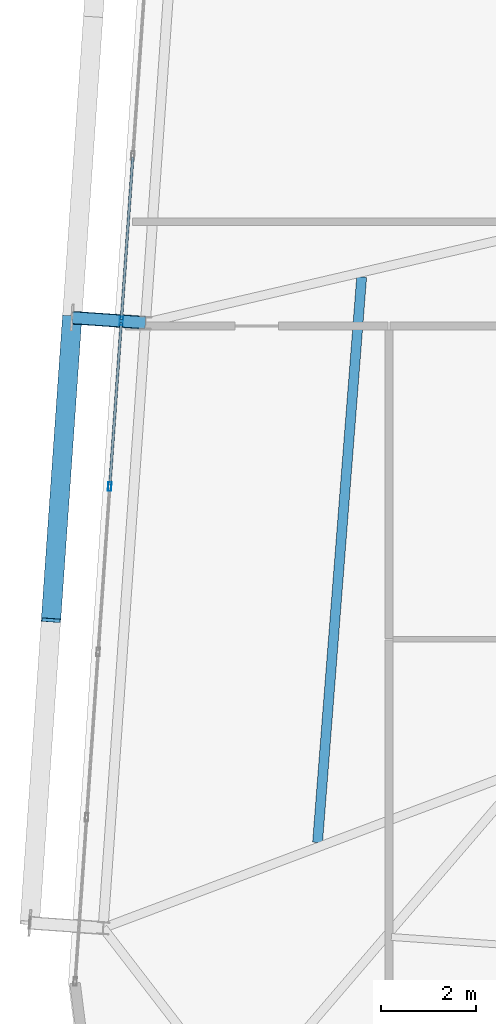
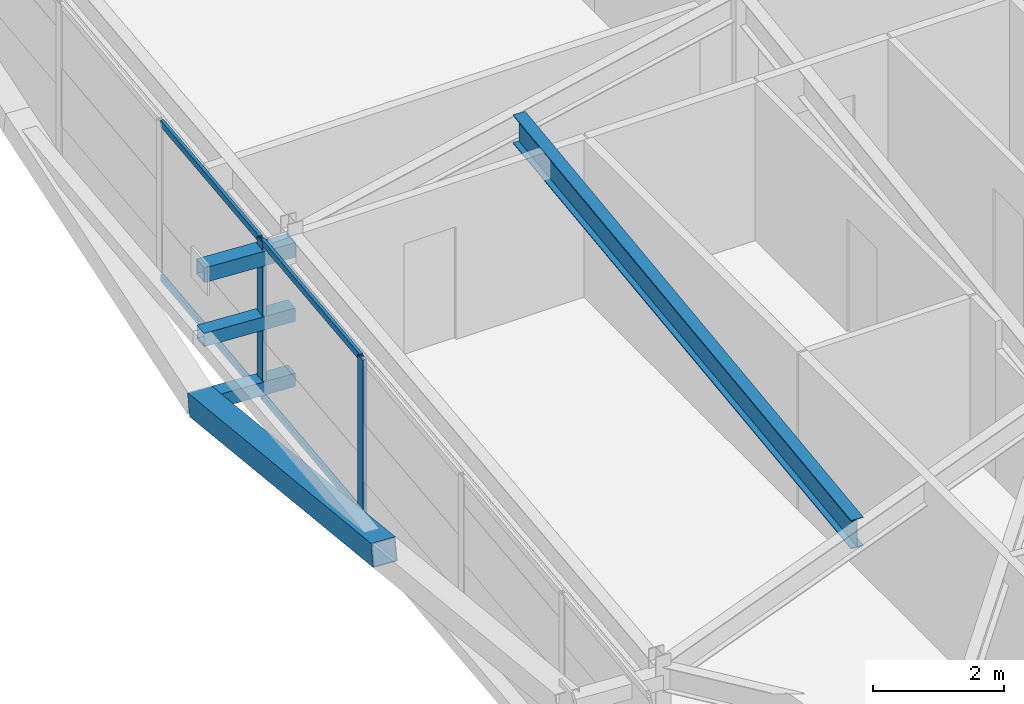
# One storey, part 14 of 47: 10 members, 1 beam, 1 element without a shape of its own.
"""IFC4 building model written with IfcOpenShell, lengths in metres."""

from ifc_helpers import new_model, si_unit, direction, frame, origin, origin_2d, place, context, subcontext, project, spatial, hollow_rectangle, i_section, extrude, source, transform, mapped, material, layer, layer_set, material_profile, profile_set, type_object, element, aggregate, save


model = new_model("IFC4")

# Units and contexts
model_context = context("Model", 3, precision=1e-05, world=origin(), true_north=direction((0.0, 1.0)))
body_context = subcontext(model_context, "Body", "Model", "MODEL_VIEW")
ifc_project = project(units=[si_unit("LENGTHUNIT", "METRE"), si_unit("AREAUNIT", "SQUARE_METRE"), si_unit("VOLUMEUNIT", "CUBIC_METRE"), si_unit("PLANEANGLEUNIT", "RADIAN"), si_unit("MASSUNIT", "GRAM", prefix="KILO")], contexts=[model_context])

# Site, building, storey
site_placement = place(None, origin())
site = spatial("IfcSite", under=ifc_project, at=site_placement, CompositionType="ELEMENT")
building_placement = place(site_placement, origin())
building = spatial("IfcBuilding", under=site, at=building_placement, Name="Taldren Reach Tower", CompositionType="ELEMENT")
storey_placement = place(building_placement, frame((0.0, 0.0, 142.449951171875)))
storey = spatial("IfcBuildingStorey", under=building, at=storey_placement, Name="L43", CompositionType="ELEMENT", Elevation=142.449951171875)

# Members
ifc_material_1 = material(Name="Steel Gr 450 (C450L0)", Category="steel")
ifc_material_profile_1 = material_profile(ifc_material_1, hollow_rectangle(XDim=0.27490234375, YDim=0.27490234375, WallThickness=0.00927734375, at=origin_2d()), Name="275x275x9.3SHS")
ifc_profile_set_1 = profile_set([ifc_material_profile_1], Name="Steel Gr 450 (C450L0)")
member_type_1 = type_object("IfcMemberType", Name="MB-TIE273", PredefinedType="STRUT", material=ifc_profile_set_1)
shared_shape_1 = source(origin(), body_context, "Body", "SweptSolid", [
    extrude(hollow_rectangle(XDim=0.27490234375, YDim=0.27490234375, WallThickness=0.00927734375, at=origin_2d()), origin(), (0.0, 0.0, 1.0), 1.550048828125),
])
member_1_placement = place(storey_placement, frame((9.86181640625, 21.868408203125, 2.650146484375), z_axis=(-0.99756313426, 0.06976957191, 0.0), x_axis=(-0.06976957191, -0.99756313426, 0.0)))
element("IfcMember", 1, at=member_1_placement, inside=storey, type_object=member_type_1, Name="Exoskeleton diaphragm tie strut B3-W2 L43", PredefinedType="STRUT", context=body_context, shape_type="MappedRepresentation", body=[
    mapped(shared_shape_1, transform((0.0, 0.0, 0.0), scale=1.0)),
])
ifc_material_2 = material(Name="Steel Gr 350 (C350L0)", Category="steel")
ifc_material_profile_2 = material_profile(ifc_material_2, hollow_rectangle(XDim=0.25, YDim=0.25, WallThickness=0.010009765625, at=origin_2d()), Name="250x250x10.0SHS")
ifc_profile_set_2 = profile_set([ifc_material_profile_2], Name="Steel Gr 350 (C350L0)")
member_type_2 = type_object("IfcMemberType", Name="MB-POST250", PredefinedType="POST", material=ifc_profile_set_2)
shared_shape_2 = source(origin(), body_context, "Body", "SweptSolid", [
    extrude(hollow_rectangle(XDim=0.25, YDim=0.25, WallThickness=0.010009765625, at=origin_2d()), origin(), (0.0, 0.0, 1.0), 1.550048828125),
])
for number, where, z_axis, x_axis, name in (
    (2, (9.86181640625, 21.868408203125, 0.219970703125), (-0.99756313426, 0.06976957191, 0.0), (-0.06976957191, -0.99756313426, 0.0), "Exoskeleton base diaphragm tie strut B3-W2 L43"),
    (3, (9.86181640625, 21.868408203125, 1.43505859375), (-0.99756313426, 0.06976957191, 0.0), (-0.06976957191, -0.99756313426, 0.0), "Exoskeleton mid-tier diaphragm tie B3-W2 L43"),
):
    element("IfcMember", number, at=place(storey_placement, frame(where, z_axis=z_axis, x_axis=x_axis)), inside=storey, type_object=member_type_2, Name=name, PredefinedType="POST", context=body_context, shape_type="MappedRepresentation", body=[
        mapped(shared_shape_2, transform((0.0, 0.0, 0.0), scale=1.0)),
    ])

# Beam
ifc_material_3 = material(Name="Steel Gr 350 (350PLUS)", Category="steel")
ifc_material_profile_3 = material_profile(ifc_material_3, i_section(OverallWidth=0.208984375, OverallDepth=0.532958984375, WebThickness=0.01025390625, FlangeThickness=0.015625, at=origin_2d()), Name="530UB92.4")
ifc_profile_set_3 = profile_set([ifc_material_profile_3], Name="Steel Gr 350 (350PLUS)")
beam_type = type_object("IfcBeamType", Name="BM-UB530A", PredefinedType="BEAM", material=ifc_profile_set_3)
shared_shape_3 = source(origin(), body_context, "Body", "SweptSolid", [
    extrude(i_section(OverallWidth=0.208984375, OverallDepth=0.532958984375, WebThickness=0.01025390625, FlangeThickness=0.015625, at=origin_2d()), origin(), (0.0, 0.0, 1.0), 11.965576171875),
])
beam_placement = place(storey_placement, frame((13.49267578125, 10.90478515625, 2.66357421875), z_axis=(0.077757433297, 0.996972307322, 0.0), x_axis=(-0.996972307322, 0.077757433297, 0.0)))
element("IfcBeam", 4, at=beam_placement, inside=storey, type_object=beam_type, Name="Secondary floor beam B3 J6 L43", PredefinedType="BEAM", context=body_context, shape_type="MappedRepresentation", body=[
    mapped(shared_shape_3, transform((0.0, 0.0, 0.0), scale=1.0)),
])

# Member
ifc_material_profile_4 = material_profile(ifc_material_1, hollow_rectangle(XDim=0.409912109375, YDim=0.409912109375, WallThickness=0.01611328125, at=origin_2d()), Name="410x410x16.0SHS")
ifc_profile_set_4 = profile_set([ifc_material_profile_4], Name="Steel Gr 450 (C450L0)")
member_type_3 = type_object("IfcMemberType", Name="MB-EXO406", PredefinedType="BRACE", material=ifc_profile_set_4)
shared_shape_4 = source(origin(), body_context, "Body", "SweptSolid", [
    extrude(hollow_rectangle(XDim=0.409912109375, YDim=0.409912109375, WallThickness=0.01611328125, at=origin_2d()), origin(), (0.0, 0.0, 1.0), 6.514404296875),
])
member_2_placement = place(storey_placement, frame((8.3154296875, 21.9765625, 0.219970703125), z_axis=(-0.068507825937, -0.980059166346, 0.186522674885), x_axis=(0.997565791441, -0.069731569223, 0.0)))
element("IfcMember", 5, at=member_2_placement, inside=storey, type_object=member_type_3, Name="Exoskeleton Diagrid Brace B3-W1 L43", PredefinedType="BRACE", context=body_context, shape_type="MappedRepresentation", body=[
    mapped(shared_shape_4, transform((0.0, 0.0, 0.0), scale=1.0)),
])

# Curtain wall, members
ifc_material_4 = material(Name="Aluminium and Low-E Glass Unitised System", Category="aluminium")
ifc_layer = layer(ifc_material_4, 0.159912109375)
ifc_layer_set = layer_set([ifc_layer], Name="Aluminium and Low-E Glass Unitised System")
curtain_wall_type = type_object("IfcCurtainWallType", Name="CW-SYS-4", PredefinedType="NOTDEFINED", material=ifc_layer_set)
curtain_wall_placement = place(storey_placement, origin())
curtain_wall = element("IfcCurtainWall", 6, at=curtain_wall_placement, inside=storey, type_object=curtain_wall_type, Name="Unitised curtain wall CW-L43-W", PredefinedType="NOTDEFINED")
ifc_material_5 = material(Name="Anodised Aluminium 6063-T6", Category="aluminium")
ifc_material_profile_5 = material_profile(ifc_material_5, hollow_rectangle(XDim=0.070068359375, YDim=0.179931640625, WallThickness=0.00390625, at=origin_2d()), Name="ALU-180x70x4RHS")
ifc_profile_set_5 = profile_set([ifc_material_profile_5], Name="Anodised Aluminium 6063-T6")
member_type_4 = type_object("IfcMemberType", Name="CW-MUL-180", PredefinedType="MULLION", material=ifc_profile_set_5)
shared_shape_5 = source(origin(), body_context, "Body", "SweptSolid", [
    extrude(hollow_rectangle(XDim=0.070068359375, YDim=0.179931640625, WallThickness=0.00390625, at=origin_2d()), origin(), (0.0, 0.0, 1.0), 2.929931640625),
])
member_3_placement = place(storey_placement, frame((9.35302734375, 21.90380859375, 0.0), z_axis=(0.0, 0.0, 1.0), x_axis=(0.997564052812, -0.069756437251, 0.0)))
member_3 = element("IfcMember", 7, at=member_3_placement, type_object=member_type_4, Name="CW-4 mullion 5", PredefinedType="MULLION", context=body_context, shape_type="MappedRepresentation", body=[
    mapped(shared_shape_5, transform((0.0, 0.0, 0.0), scale=1.0)),
])
member_4_placement = place(storey_placement, frame((9.10888671875, 18.412353515625, 0.0), z_axis=(0.0, 0.0, 1.0), x_axis=(0.997564052812, -0.069756437251, 0.0)))
member_4 = element("IfcMember", 8, at=member_4_placement, type_object=member_type_4, Name="CW-4 mullion 6", PredefinedType="MULLION", context=body_context, shape_type="MappedRepresentation", body=[
    mapped(shared_shape_5, transform((0.0, 0.0, 0.0), scale=1.0)),
])
ifc_material_profile_6 = material_profile(ifc_material_5, hollow_rectangle(XDim=0.054931640625, YDim=0.1201171875, WallThickness=0.0029296875, at=origin_2d()), Name="ALU-120x55x3RHS")
ifc_profile_set_6 = profile_set([ifc_material_profile_6], Name="Anodised Aluminium 6063-T6")
member_type_5 = type_object("IfcMemberType", Name="CW-TRN-135", PredefinedType="USERDEFINED", material=ifc_profile_set_6)
shared_shape_6 = source(origin(), body_context, "Body", "SweptSolid", [
    extrude(hollow_rectangle(XDim=0.054931640625, YDim=0.1201171875, WallThickness=0.0029296875, at=origin_2d()), origin(), (0.0, 0.0, 1.0), 3.429931640625),
])
member_5_placement = place(storey_placement, frame((9.5947265625, 25.3603515625, 0.027587890625), z_axis=(-0.069754754695, -0.997564170466, 0.0), x_axis=(0.997564170466, -0.069754754695, 0.0)))
member_5 = element("IfcMember", 9, at=member_5_placement, type_object=member_type_5, Name="CW-4 transom 4.1", ObjectType="TRANSOM", PredefinedType="USERDEFINED", context=body_context, shape_type="MappedRepresentation", body=[
    mapped(shared_shape_6, transform((0.0, 0.0, 0.0), scale=1.0)),
])
member_6_placement = place(storey_placement, frame((9.5947265625, 25.3603515625, 2.902587890625), z_axis=(-0.069754754695, -0.997564170466, 0.0), x_axis=(0.997564170466, -0.069754754695, 0.0)))
member_6 = element("IfcMember", 10, at=member_6_placement, type_object=member_type_5, Name="CW-4 transom 4.2", ObjectType="TRANSOM", PredefinedType="USERDEFINED", context=body_context, shape_type="MappedRepresentation", body=[
    mapped(shared_shape_6, transform((0.0, 0.0, 0.0), scale=1.0)),
])
member_7_placement = place(storey_placement, frame((9.3505859375, 21.868896484375, 0.027587890625), z_axis=(-0.069754754695, -0.997564170466, 0.0), x_axis=(0.997564170466, -0.069754754695, 0.0)))
member_7 = element("IfcMember", 11, at=member_7_placement, type_object=member_type_5, Name="CW-4 transom 5.1", ObjectType="TRANSOM", PredefinedType="USERDEFINED", context=body_context, shape_type="MappedRepresentation", body=[
    mapped(shared_shape_6, transform((0.0, 0.0, 0.0), scale=1.0)),
])
member_8_placement = place(storey_placement, frame((9.3505859375, 21.868896484375, 2.902587890625), z_axis=(-0.069754754695, -0.997564170466, 0.0), x_axis=(0.997564170466, -0.069754754695, 0.0)))
member_8 = element("IfcMember", 12, at=member_8_placement, type_object=member_type_5, Name="CW-4 transom 5.2", ObjectType="TRANSOM", PredefinedType="USERDEFINED", context=body_context, shape_type="MappedRepresentation", body=[
    mapped(shared_shape_6, transform((0.0, 0.0, 0.0), scale=1.0)),
])
aggregate(curtain_wall, [member_3, member_4, member_5, member_6, member_7, member_8])

save(model, "model.ifc")
